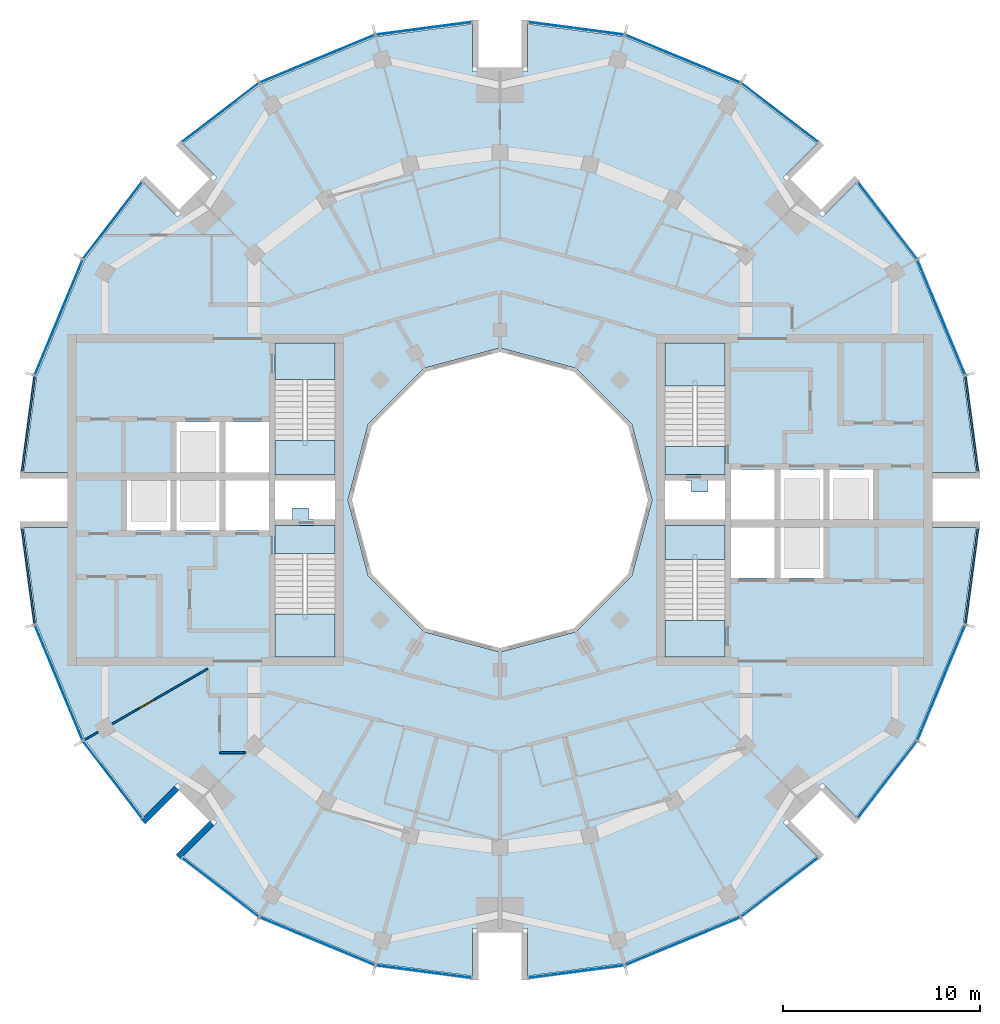
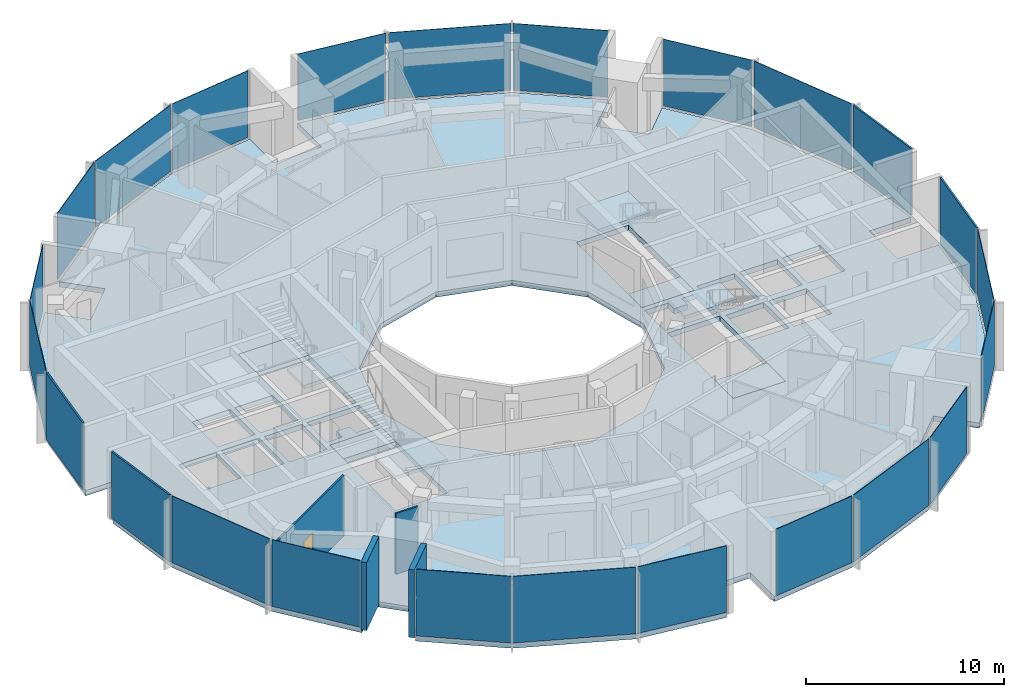
# One storey, part 7 of 15: 24 plates, 9 slabs, 4 walls, 1 door, 1 opening, 28 elements without a shape of their own.
"""IFC4 building model written with IfcOpenShell, lengths in metres."""

from ifc_helpers import new_model, si_unit, direction, frame, frame_2d, origin, origin_2d, place, context, subcontext, project, spatial, polyline, rectangle, outline, extrude, material, layer, layer_set, type_object, element, fill, aggregate, save


model = new_model("IFC4")

# Units and contexts
model_context = context("Model", 3, precision=1e-05, world=origin(), true_north=direction((0.0, 1.0)))
body_context = subcontext(model_context, "Body", "Model", "MODEL_VIEW")
ifc_project = project(units=[si_unit("LENGTHUNIT", "METRE"), si_unit("AREAUNIT", "SQUARE_METRE"), si_unit("VOLUMEUNIT", "CUBIC_METRE"), si_unit("PLANEANGLEUNIT", "RADIAN"), si_unit("MASSUNIT", "GRAM", prefix="KILO")], contexts=[model_context])

# Site, building, storey
site_placement = place(None, origin())
site = spatial("IfcSite", under=ifc_project, at=site_placement, CompositionType="ELEMENT")
building_placement = place(site_placement, origin())
building = spatial("IfcBuilding", under=site, at=building_placement, Name="Torre Brocal", CompositionType="ELEMENT")
storey_placement = place(building_placement, frame((0.0, 0.0, 279.89990234375)))
storey = spatial("IfcBuildingStorey", under=building, at=storey_placement, Name="L64", CompositionType="ELEMENT", Elevation=279.89990234375)

# Curtain wall, plate
ifc_material_1 = material(Name="Aluminium and glass", Category="aluminium")
ifc_layer_1 = layer(ifc_material_1, 0.199951171875)
ifc_layer_set_1 = layer_set([ifc_layer_1], Name="Aluminium and glass")
curtain_wall_type_1 = type_object("IfcCurtainWallType", Name="CW-1 CURTAIN WALL 4200 HIGH", PredefinedType="NOTDEFINED", material=ifc_layer_set_1)
curtain_wall_1_placement = place(storey_placement, origin())
curtain_wall_1 = element("IfcCurtainWall", 1, at=curtain_wall_1_placement, inside=storey, type_object=curtain_wall_type_1, Name="CW-1 RUN 2", PredefinedType="NOTDEFINED")
ifc_material_2 = material(Name="Glass, dark tinted laminated", Category="glass")
ifc_layer_2 = layer(ifc_material_2, 0.031982421875)
ifc_layer_set_2 = layer_set([ifc_layer_2], Name="Glass, dark tinted laminated")
plate_type_1 = type_object("IfcPlateType", Name="CW-1 GLASS PANEL 32", PredefinedType="CURTAIN_PANEL", material=ifc_layer_set_2)
plate_1_placement = place(storey_placement, frame((102.34912109375, 84.25732421875, 0.080078125), z_axis=(0.0, 0.0, 1.0), x_axis=(-0.382683432462, 0.923879532471, 0.0)))
plate_1 = element("IfcPlate", 2, at=plate_1_placement, type_object=plate_type_1, Name="CW1-5 panel 1.1", PredefinedType="CURTAIN_PANEL", context=body_context, shape_type="SweptSolid", body=[
    extrude(rectangle(XDim=6.24951171875, YDim=0.031982421875, at=origin_2d()), origin(), (0.0, 0.0, 1.0), 4.1201171875),
])
aggregate(curtain_wall_1, [plate_1])

curtain_wall_2_placement = place(storey_placement, origin())
curtain_wall_2 = element("IfcCurtainWall", 3, at=curtain_wall_2_placement, inside=storey, type_object=curtain_wall_type_1, Name="CW-1 RUN 3", PredefinedType="NOTDEFINED")
plate_2_placement = place(storey_placement, frame((99.621337890625, 89.166015625, 0.080078125), z_axis=(0.0, 0.0, 1.0), x_axis=(-0.608761428939, 0.793353340344, 0.0)))
plate_2 = element("IfcPlate", 4, at=plate_2_placement, type_object=plate_type_1, Name="CW1-5 panel 1.1", PredefinedType="CURTAIN_PANEL", context=body_context, shape_type="SweptSolid", body=[
    extrude(rectangle(XDim=4.83740234375, YDim=0.031982421875, at=origin_2d()), origin(), (0.0, 0.0, 1.0), 4.1201171875),
])
aggregate(curtain_wall_2, [plate_2])

curtain_wall_3_placement = place(storey_placement, origin())
curtain_wall_3 = element("IfcCurtainWall", 5, at=curtain_wall_3_placement, inside=storey, type_object=curtain_wall_type_1, Name="CW-1 RUN 4", PredefinedType="NOTDEFINED")
plate_3_placement = place(storey_placement, frame((94.166015625, 94.621337890625, 0.080078125), z_axis=(0.0, 0.0, 1.0), x_axis=(-0.793353340344, 0.608761428939, 0.0)))
plate_3 = element("IfcPlate", 6, at=plate_3_placement, type_object=plate_type_1, Name="CW1-5 panel 1.1", PredefinedType="CURTAIN_PANEL", context=body_context, shape_type="SweptSolid", body=[
    extrude(rectangle(XDim=4.83740234375, YDim=0.031982421875, at=origin_2d()), origin(), (0.0, 0.0, 1.0), 4.1201171875),
])
aggregate(curtain_wall_3, [plate_3])

curtain_wall_4_placement = place(storey_placement, origin())
curtain_wall_4 = element("IfcCurtainWall", 7, at=curtain_wall_4_placement, inside=storey, type_object=curtain_wall_type_1, Name="CW-1 RUN 5", PredefinedType="NOTDEFINED")
plate_4_placement = place(storey_placement, frame((89.25732421875, 97.34912109375, 0.080078125), z_axis=(0.0, 0.0, 1.0), x_axis=(-0.923879532471, 0.382683432462, 0.0)))
plate_4 = element("IfcPlate", 8, at=plate_4_placement, type_object=plate_type_1, Name="CW1-5 panel 1.1", PredefinedType="CURTAIN_PANEL", context=body_context, shape_type="SweptSolid", body=[
    extrude(rectangle(XDim=6.24951171875, YDim=0.031982421875, at=origin_2d()), origin(), (0.0, 0.0, 1.0), 4.1201171875),
])
aggregate(curtain_wall_4, [plate_4])

curtain_wall_5_placement = place(storey_placement, origin())
curtain_wall_5 = element("IfcCurtainWall", 9, at=curtain_wall_5_placement, inside=storey, type_object=curtain_wall_type_1, Name="CW-1 RUN 6", PredefinedType="NOTDEFINED")
plate_5_placement = place(storey_placement, frame((83.857421875, 98.891357421875, 0.080078125), z_axis=(0.0, 0.0, 1.0), x_axis=(-0.991444861387, 0.130526192116, 0.0)))
plate_5 = element("IfcPlate", 10, at=plate_5_placement, type_object=plate_type_1, Name="CW1-5 panel 1.1", PredefinedType="CURTAIN_PANEL", context=body_context, shape_type="SweptSolid", body=[
    extrude(rectangle(XDim=4.83740234375, YDim=0.031982421875, at=origin_2d()), origin(), (0.0, 0.0, 1.0), 4.1201171875),
])
aggregate(curtain_wall_5, [plate_5])

curtain_wall_6_placement = place(storey_placement, origin())
curtain_wall_6 = element("IfcCurtainWall", 11, at=curtain_wall_6_placement, inside=storey, type_object=curtain_wall_type_1, Name="CW-1 RUN 7", PredefinedType="NOTDEFINED")
plate_6_placement = place(storey_placement, frame((76.142578125, 98.891357421875, 0.080078125), z_axis=(0.0, 0.0, 1.0), x_axis=(-0.991444861387, -0.130526192116, 0.0)))
plate_6 = element("IfcPlate", 12, at=plate_6_placement, type_object=plate_type_1, Name="CW1-5 panel 1.1", PredefinedType="CURTAIN_PANEL", context=body_context, shape_type="SweptSolid", body=[
    extrude(rectangle(XDim=4.83740234375, YDim=0.031982421875, at=origin_2d()), origin(), (0.0, 0.0, 1.0), 4.1201171875),
])
aggregate(curtain_wall_6, [plate_6])

curtain_wall_7_placement = place(storey_placement, origin())
curtain_wall_7 = element("IfcCurtainWall", 13, at=curtain_wall_7_placement, inside=storey, type_object=curtain_wall_type_1, Name="CW-1 RUN 8", PredefinedType="NOTDEFINED")
plate_7_placement = place(storey_placement, frame((70.74267578125, 97.34912109375, 0.080078125), z_axis=(0.0, 0.0, 1.0), x_axis=(-0.923879532471, -0.382683432462, 0.0)))
plate_7 = element("IfcPlate", 14, at=plate_7_placement, type_object=plate_type_1, Name="CW1-5 panel 1.1", PredefinedType="CURTAIN_PANEL", context=body_context, shape_type="SweptSolid", body=[
    extrude(rectangle(XDim=6.24951171875, YDim=0.031982421875, at=origin_2d()), origin(), (0.0, 0.0, 1.0), 4.1201171875),
])
aggregate(curtain_wall_7, [plate_7])

curtain_wall_8_placement = place(storey_placement, origin())
curtain_wall_8 = element("IfcCurtainWall", 15, at=curtain_wall_8_placement, inside=storey, type_object=curtain_wall_type_1, Name="CW-1 RUN 9", PredefinedType="NOTDEFINED")
plate_8_placement = place(storey_placement, frame((65.833984375, 94.621337890625, 0.080078125), z_axis=(0.0, 0.0, 1.0), x_axis=(-0.793353340344, -0.608761428939, 0.0)))
plate_8 = element("IfcPlate", 16, at=plate_8_placement, type_object=plate_type_1, Name="CW1-5 panel 1.1", PredefinedType="CURTAIN_PANEL", context=body_context, shape_type="SweptSolid", body=[
    extrude(rectangle(XDim=4.83740234375, YDim=0.031982421875, at=origin_2d()), origin(), (0.0, 0.0, 1.0), 4.1201171875),
])
aggregate(curtain_wall_8, [plate_8])

curtain_wall_9_placement = place(storey_placement, origin())
curtain_wall_9 = element("IfcCurtainWall", 17, at=curtain_wall_9_placement, inside=storey, type_object=curtain_wall_type_1, Name="CW-1 RUN 10", PredefinedType="NOTDEFINED")
plate_9_placement = place(storey_placement, frame((60.378662109375, 89.166015625, 0.080078125), z_axis=(0.0, 0.0, 1.0), x_axis=(-0.608761428939, -0.793353340344, 0.0)))
plate_9 = element("IfcPlate", 18, at=plate_9_placement, type_object=plate_type_1, Name="CW1-5 panel 1.1", PredefinedType="CURTAIN_PANEL", context=body_context, shape_type="SweptSolid", body=[
    extrude(rectangle(XDim=4.83740234375, YDim=0.031982421875, at=origin_2d()), origin(), (0.0, 0.0, 1.0), 4.1201171875),
])
aggregate(curtain_wall_9, [plate_9])

curtain_wall_10_placement = place(storey_placement, origin())
curtain_wall_10 = element("IfcCurtainWall", 19, at=curtain_wall_10_placement, inside=storey, type_object=curtain_wall_type_1, Name="CW-1 RUN 11", PredefinedType="NOTDEFINED")
plate_10_placement = place(storey_placement, frame((57.65087890625, 84.25732421875, 0.080078125), z_axis=(0.0, 0.0, 1.0), x_axis=(-0.382683432462, -0.923879532471, 0.0)))
plate_10 = element("IfcPlate", 20, at=plate_10_placement, type_object=plate_type_1, Name="CW1-5 panel 1.1", PredefinedType="CURTAIN_PANEL", context=body_context, shape_type="SweptSolid", body=[
    extrude(rectangle(XDim=6.24951171875, YDim=0.031982421875, at=origin_2d()), origin(), (0.0, 0.0, 1.0), 4.1201171875),
])
aggregate(curtain_wall_10, [plate_10])

curtain_wall_11_placement = place(storey_placement, origin())
curtain_wall_11 = element("IfcCurtainWall", 21, at=curtain_wall_11_placement, inside=storey, type_object=curtain_wall_type_1, Name="CW-1 RUN 14", PredefinedType="NOTDEFINED")
plate_11_placement = place(storey_placement, frame((57.65087890625, 65.74267578125, 0.080078125), z_axis=(0.0, 0.0, 1.0), x_axis=(0.382683432462, -0.923879532471, 0.0)))
plate_11 = element("IfcPlate", 22, at=plate_11_placement, type_object=plate_type_1, Name="CW1-5 panel 1.1", PredefinedType="CURTAIN_PANEL", context=body_context, shape_type="SweptSolid", body=[
    extrude(rectangle(XDim=6.24951171875, YDim=0.031982421875, at=origin_2d()), origin(), (0.0, 0.0, 1.0), 4.1201171875),
])
aggregate(curtain_wall_11, [plate_11])

curtain_wall_12_placement = place(storey_placement, origin())
curtain_wall_12 = element("IfcCurtainWall", 23, at=curtain_wall_12_placement, inside=storey, type_object=curtain_wall_type_1, Name="CW-1 RUN 15", PredefinedType="NOTDEFINED")
plate_12_placement = place(storey_placement, frame((60.378662109375, 60.833984375, 0.080078125), z_axis=(0.0, 0.0, 1.0), x_axis=(0.608761428939, -0.793353340344, 0.0)))
plate_12 = element("IfcPlate", 24, at=plate_12_placement, type_object=plate_type_1, Name="CW1-5 panel 1.1", PredefinedType="CURTAIN_PANEL", context=body_context, shape_type="SweptSolid", body=[
    extrude(rectangle(XDim=4.83740234375, YDim=0.031982421875, at=origin_2d()), origin(), (0.0, 0.0, 1.0), 4.1201171875),
])
aggregate(curtain_wall_12, [plate_12])

curtain_wall_13_placement = place(storey_placement, origin())
curtain_wall_13 = element("IfcCurtainWall", 25, at=curtain_wall_13_placement, inside=storey, type_object=curtain_wall_type_1, Name="CW-1 RUN 16", PredefinedType="NOTDEFINED")
plate_13_placement = place(storey_placement, frame((65.833984375, 55.378662109375, 0.080078125), z_axis=(0.0, 0.0, 1.0), x_axis=(0.793353340344, -0.608761428939, 0.0)))
plate_13 = element("IfcPlate", 26, at=plate_13_placement, type_object=plate_type_1, Name="CW1-5 panel 1.1", PredefinedType="CURTAIN_PANEL", context=body_context, shape_type="SweptSolid", body=[
    extrude(rectangle(XDim=4.83740234375, YDim=0.031982421875, at=origin_2d()), origin(), (0.0, 0.0, 1.0), 4.1201171875),
])
aggregate(curtain_wall_13, [plate_13])

curtain_wall_14_placement = place(storey_placement, origin())
curtain_wall_14 = element("IfcCurtainWall", 27, at=curtain_wall_14_placement, inside=storey, type_object=curtain_wall_type_1, Name="CW-1 RUN 17", PredefinedType="NOTDEFINED")
plate_14_placement = place(storey_placement, frame((70.74267578125, 52.65087890625, 0.080078125), z_axis=(0.0, 0.0, 1.0), x_axis=(0.923879532471, -0.382683432462, 0.0)))
plate_14 = element("IfcPlate", 28, at=plate_14_placement, type_object=plate_type_1, Name="CW1-5 panel 1.1", PredefinedType="CURTAIN_PANEL", context=body_context, shape_type="SweptSolid", body=[
    extrude(rectangle(XDim=6.24951171875, YDim=0.031982421875, at=origin_2d()), origin(), (0.0, 0.0, 1.0), 4.1201171875),
])
aggregate(curtain_wall_14, [plate_14])

curtain_wall_15_placement = place(storey_placement, origin())
curtain_wall_15 = element("IfcCurtainWall", 29, at=curtain_wall_15_placement, inside=storey, type_object=curtain_wall_type_1, Name="CW-1 RUN 18", PredefinedType="NOTDEFINED")
plate_15_placement = place(storey_placement, frame((76.142578125, 51.108642578125, 0.080078125), z_axis=(0.0, 0.0, 1.0), x_axis=(0.991444861387, -0.130526192116, 0.0)))
plate_15 = element("IfcPlate", 30, at=plate_15_placement, type_object=plate_type_1, Name="CW1-5 panel 1.1", PredefinedType="CURTAIN_PANEL", context=body_context, shape_type="SweptSolid", body=[
    extrude(rectangle(XDim=4.83740234375, YDim=0.031982421875, at=origin_2d()), origin(), (0.0, 0.0, 1.0), 4.1201171875),
])
aggregate(curtain_wall_15, [plate_15])

curtain_wall_16_placement = place(storey_placement, origin())
curtain_wall_16 = element("IfcCurtainWall", 31, at=curtain_wall_16_placement, inside=storey, type_object=curtain_wall_type_1, Name="CW-1 RUN 19", PredefinedType="NOTDEFINED")
plate_16_placement = place(storey_placement, frame((83.857421875, 51.108642578125, 0.080078125), z_axis=(0.0, 0.0, 1.0), x_axis=(0.991444861387, 0.130526192116, 0.0)))
plate_16 = element("IfcPlate", 32, at=plate_16_placement, type_object=plate_type_1, Name="CW1-5 panel 1.1", PredefinedType="CURTAIN_PANEL", context=body_context, shape_type="SweptSolid", body=[
    extrude(rectangle(XDim=4.83740234375, YDim=0.031982421875, at=origin_2d()), origin(), (0.0, 0.0, 1.0), 4.1201171875),
])
aggregate(curtain_wall_16, [plate_16])

curtain_wall_17_placement = place(storey_placement, origin())
curtain_wall_17 = element("IfcCurtainWall", 33, at=curtain_wall_17_placement, inside=storey, type_object=curtain_wall_type_1, Name="CW-1 RUN 20", PredefinedType="NOTDEFINED")
plate_17_placement = place(storey_placement, frame((89.25732421875, 52.65087890625, 0.080078125), z_axis=(0.0, 0.0, 1.0), x_axis=(0.923879532471, 0.382683432462, 0.0)))
plate_17 = element("IfcPlate", 34, at=plate_17_placement, type_object=plate_type_1, Name="CW1-5 panel 1.1", PredefinedType="CURTAIN_PANEL", context=body_context, shape_type="SweptSolid", body=[
    extrude(rectangle(XDim=6.24951171875, YDim=0.031982421875, at=origin_2d()), origin(), (0.0, 0.0, 1.0), 4.1201171875),
])
aggregate(curtain_wall_17, [plate_17])

curtain_wall_18_placement = place(storey_placement, origin())
curtain_wall_18 = element("IfcCurtainWall", 35, at=curtain_wall_18_placement, inside=storey, type_object=curtain_wall_type_1, Name="CW-1 RUN 21", PredefinedType="NOTDEFINED")
plate_18_placement = place(storey_placement, frame((94.166015625, 55.378662109375, 0.080078125), z_axis=(0.0, 0.0, 1.0), x_axis=(0.793353340344, 0.608761428939, 0.0)))
plate_18 = element("IfcPlate", 36, at=plate_18_placement, type_object=plate_type_1, Name="CW1-5 panel 1.1", PredefinedType="CURTAIN_PANEL", context=body_context, shape_type="SweptSolid", body=[
    extrude(rectangle(XDim=4.83740234375, YDim=0.031982421875, at=origin_2d()), origin(), (0.0, 0.0, 1.0), 4.1201171875),
])
aggregate(curtain_wall_18, [plate_18])

curtain_wall_19_placement = place(storey_placement, origin())
curtain_wall_19 = element("IfcCurtainWall", 37, at=curtain_wall_19_placement, inside=storey, type_object=curtain_wall_type_1, Name="CW-1 RUN 22", PredefinedType="NOTDEFINED")
plate_19_placement = place(storey_placement, frame((99.621337890625, 60.833984375, 0.080078125), z_axis=(0.0, 0.0, 1.0), x_axis=(0.608761428939, 0.793353340344, 0.0)))
plate_19 = element("IfcPlate", 38, at=plate_19_placement, type_object=plate_type_1, Name="CW1-5 panel 1.1", PredefinedType="CURTAIN_PANEL", context=body_context, shape_type="SweptSolid", body=[
    extrude(rectangle(XDim=4.83740234375, YDim=0.031982421875, at=origin_2d()), origin(), (0.0, 0.0, 1.0), 4.1201171875),
])
aggregate(curtain_wall_19, [plate_19])

curtain_wall_20_placement = place(storey_placement, origin())
curtain_wall_20 = element("IfcCurtainWall", 39, at=curtain_wall_20_placement, inside=storey, type_object=curtain_wall_type_1, Name="CW-1 RUN 23", PredefinedType="NOTDEFINED")
plate_20_placement = place(storey_placement, frame((102.34912109375, 65.74267578125, 0.080078125), z_axis=(0.0, 0.0, 1.0), x_axis=(0.382683432462, 0.923879532471, 0.0)))
plate_20 = element("IfcPlate", 40, at=plate_20_placement, type_object=plate_type_1, Name="CW1-5 panel 1.1", PredefinedType="CURTAIN_PANEL", context=body_context, shape_type="SweptSolid", body=[
    extrude(rectangle(XDim=6.24951171875, YDim=0.031982421875, at=origin_2d()), origin(), (0.0, 0.0, 1.0), 4.1201171875),
])
aggregate(curtain_wall_20, [plate_20])

ifc_material_3 = material(Name="Aluminium and glass", Category="aluminium")
ifc_layer_3 = layer(ifc_material_3, 0.199951171875)
ifc_layer_set_3 = layer_set([ifc_layer_3], Name="Aluminium and glass")
curtain_wall_type_2 = type_object("IfcCurtainWallType", Name="CW-1B CURTAIN WALL 4200 HIGH", PredefinedType="NOTDEFINED", material=ifc_layer_set_3)
curtain_wall_21_placement = place(storey_placement, origin())
curtain_wall_21 = element("IfcCurtainWall", 41, at=curtain_wall_21_placement, inside=storey, type_object=curtain_wall_type_2, Name="CW-1B RUN 1", PredefinedType="NOTDEFINED")
ifc_material_4 = material(Name="Aluminium composite panel", Category="aluminium")
ifc_layer_4 = layer(ifc_material_4, 0.10009765625)
ifc_layer_set_4 = layer_set([ifc_layer_4], Name="Aluminium composite panel")
plate_type_2 = type_object("IfcPlateType", Name="CW-1B OPAQUE PANEL 100", PredefinedType="CURTAIN_PANEL", material=ifc_layer_set_4)
plate_21_placement = place(storey_placement, frame((103.891357421875, 78.857421875, 0.080078125), z_axis=(0.0, 0.0, 1.0), x_axis=(-0.130526192116, 0.991444861387, 0.0)))
plate_21 = element("IfcPlate", 42, at=plate_21_placement, type_object=plate_type_2, Name="CW1B-5 panel 1.1", PredefinedType="CURTAIN_PANEL", context=body_context, shape_type="SweptSolid", body=[
    extrude(rectangle(XDim=4.83740234375, YDim=0.10009765625, at=origin_2d()), origin(), (0.0, 0.0, 1.0), 4.1201171875),
])
aggregate(curtain_wall_21, [plate_21])

curtain_wall_22_placement = place(storey_placement, origin())
curtain_wall_22 = element("IfcCurtainWall", 43, at=curtain_wall_22_placement, inside=storey, type_object=curtain_wall_type_2, Name="CW-1B RUN 12", PredefinedType="NOTDEFINED")
plate_22_placement = place(storey_placement, frame((56.108642578125, 78.857421875, 0.080078125), z_axis=(0.0, 0.0, 1.0), x_axis=(-0.130526192116, -0.991444861387, 0.0)))
plate_22 = element("IfcPlate", 44, at=plate_22_placement, type_object=plate_type_2, Name="CW1B-5 panel 1.1", PredefinedType="CURTAIN_PANEL", context=body_context, shape_type="SweptSolid", body=[
    extrude(rectangle(XDim=4.83740234375, YDim=0.10009765625, at=origin_2d()), origin(), (0.0, 0.0, 1.0), 4.1201171875),
])
aggregate(curtain_wall_22, [plate_22])

curtain_wall_23_placement = place(storey_placement, origin())
curtain_wall_23 = element("IfcCurtainWall", 45, at=curtain_wall_23_placement, inside=storey, type_object=curtain_wall_type_2, Name="CW-1B RUN 13", PredefinedType="NOTDEFINED")
plate_23_placement = place(storey_placement, frame((56.108642578125, 71.142578125, 0.080078125), z_axis=(0.0, 0.0, 1.0), x_axis=(0.130526192116, -0.991444861387, 0.0)))
plate_23 = element("IfcPlate", 46, at=plate_23_placement, type_object=plate_type_2, Name="CW1B-5 panel 1.1", PredefinedType="CURTAIN_PANEL", context=body_context, shape_type="SweptSolid", body=[
    extrude(rectangle(XDim=4.83740234375, YDim=0.10009765625, at=origin_2d()), origin(), (0.0, 0.0, 1.0), 4.1201171875),
])
aggregate(curtain_wall_23, [plate_23])

curtain_wall_24_placement = place(storey_placement, origin())
curtain_wall_24 = element("IfcCurtainWall", 47, at=curtain_wall_24_placement, inside=storey, type_object=curtain_wall_type_2, Name="CW-1B RUN 24", PredefinedType="NOTDEFINED")
plate_24_placement = place(storey_placement, frame((103.891357421875, 71.142578125, 0.080078125), z_axis=(0.0, 0.0, 1.0), x_axis=(0.130526192116, 0.991444861387, 0.0)))
plate_24 = element("IfcPlate", 48, at=plate_24_placement, type_object=plate_type_2, Name="CW1B-5 panel 1.1", PredefinedType="CURTAIN_PANEL", context=body_context, shape_type="SweptSolid", body=[
    extrude(rectangle(XDim=4.83740234375, YDim=0.10009765625, at=origin_2d()), origin(), (0.0, 0.0, 1.0), 4.1201171875),
])
aggregate(curtain_wall_24, [plate_24])

# Stair, slab
ifc_material_5 = material(Name="Concrete C50", Category="concrete")
stair_type = type_object("IfcStairType", Name="EXIT STAIR", PredefinedType="HALF_TURN_STAIR", material=ifc_material_5)
stair_1_placement = place(storey_placement, origin())
stair_1 = element("IfcStair", 49, at=stair_1_placement, inside=storey, type_object=stair_type, Name="EXIT STAIR ST1", PredefinedType="HALF_TURN_STAIR")
ifc_material_6 = material(Name="Concrete C50", Category="concrete")
ifc_layer_5 = layer(ifc_material_6, 0.320068359375)
ifc_layer_set_5 = layer_set([ifc_layer_5], Name="Concrete C50")
slab_type_1 = type_object("IfcSlabType", Name="FLOOR LANDING 320", PredefinedType="LANDING", material=ifc_layer_set_5)
slab_1_placement = place(storey_placement, frame((0.0, 0.0, -0.31982421875)))
slab_1 = element("IfcSlab", 50, at=slab_1_placement, type_object=slab_type_1, Name="ST1 landing 1", PredefinedType="LANDING", context=body_context, shape_type="SweptSolid", body=[
    extrude(outline(polyline([(88.35009765625, 76.300048828125), (91.39990234375, 76.300048828125), (91.39990234375, 77.699951171875), (88.35009765625, 77.699951171875), (88.35009765625, 76.300048828125)])), origin(), (0.0, 0.0, 1.0), 0.31982421875),
])

stair_2_placement = place(storey_placement, origin())
stair_2 = element("IfcStair", 51, at=stair_2_placement, inside=storey, type_object=stair_type, Name="EXIT STAIR ST2", PredefinedType="HALF_TURN_STAIR")
slab_2_placement = place(storey_placement, frame((0.0, 0.0, -0.31982421875)))
slab_2 = element("IfcSlab", 52, at=slab_2_placement, type_object=slab_type_1, Name="ST2 landing 1", PredefinedType="LANDING", context=body_context, shape_type="SweptSolid", body=[
    extrude(outline(polyline([(88.35009765625, 67.050048828125), (91.39990234375, 67.050048828125), (91.39990234375, 68.89990234375), (88.35009765625, 68.89990234375), (88.35009765625, 67.050048828125)])), origin(), (0.0, 0.0, 1.0), 0.31982421875),
])

stair_3_placement = place(storey_placement, origin())
stair_3 = element("IfcStair", 53, at=stair_3_placement, inside=storey, type_object=stair_type, Name="EXIT STAIR ST3", PredefinedType="HALF_TURN_STAIR")
slab_3_placement = place(storey_placement, frame((0.0, 0.0, -0.31982421875)))
slab_3 = element("IfcSlab", 54, at=slab_3_placement, type_object=slab_type_1, Name="ST3 landing 1", PredefinedType="LANDING", context=body_context, shape_type="SweptSolid", body=[
    extrude(outline(polyline([(71.64990234375, 73.699951171875), (68.60009765625, 73.699951171875), (68.60009765625, 72.300048828125), (71.64990234375, 72.300048828125), (71.64990234375, 73.699951171875)])), origin(), (0.0, 0.0, 1.0), 0.31982421875),
])

stair_4_placement = place(storey_placement, origin())
stair_4 = element("IfcStair", 55, at=stair_4_placement, inside=storey, type_object=stair_type, Name="EXIT STAIR ST4", PredefinedType="HALF_TURN_STAIR")
slab_4_placement = place(storey_placement, frame((0.0, 0.0, -0.31982421875)))
slab_4 = element("IfcSlab", 56, at=slab_4_placement, type_object=slab_type_1, Name="ST4 landing 1", PredefinedType="LANDING", context=body_context, shape_type="SweptSolid", body=[
    extrude(outline(polyline([(71.64990234375, 82.949951171875), (68.60009765625, 82.949951171875), (68.60009765625, 81.10009765625), (71.64990234375, 81.10009765625), (71.64990234375, 82.949951171875)])), origin(), (0.0, 0.0, 1.0), 0.31982421875),
])

# Slab
ifc_material_7 = material(Name="Concrete C50", Category="concrete")
ifc_layer_6 = layer(ifc_material_7, 0.199951171875)
ifc_layer_set_6 = layer_set([ifc_layer_6], Name="Concrete C50")
slab_type_2 = type_object("IfcSlabType", Name="MID LANDING +2100", PredefinedType="LANDING", material=ifc_layer_set_6)
slab_5_placement = place(storey_placement, frame((0.0, 0.0, 1.900146484375)))
slab_5 = element("IfcSlab", 57, at=slab_5_placement, type_object=slab_type_2, Name="ST1 landing 2", PredefinedType="LANDING", context=body_context, shape_type="SweptSolid", body=[
    extrude(outline(polyline([(88.35009765625, 80.780029296875), (91.39990234375, 80.780029296875), (91.39990234375, 82.949951171875), (88.35009765625, 82.949951171875), (88.35009765625, 80.780029296875)])), origin(), (0.0, 0.0, 1.0), 0.199951171875),
])

aggregate(stair_1, [slab_1, slab_5])

slab_6_placement = place(storey_placement, frame((0.0, 0.0, 1.900146484375)))
slab_6 = element("IfcSlab", 58, at=slab_6_placement, type_object=slab_type_2, Name="ST2 landing 2", PredefinedType="LANDING", context=body_context, shape_type="SweptSolid", body=[
    extrude(outline(polyline([(88.35009765625, 71.97998046875), (91.39990234375, 71.97998046875), (91.39990234375, 73.699951171875), (88.35009765625, 73.699951171875), (88.35009765625, 71.97998046875)])), origin(), (0.0, 0.0, 1.0), 0.199951171875),
])

aggregate(stair_2, [slab_2, slab_6])

slab_7_placement = place(storey_placement, frame((0.0, 0.0, 1.900146484375)))
slab_7 = element("IfcSlab", 59, at=slab_7_placement, type_object=slab_type_2, Name="ST3 landing 2", PredefinedType="LANDING", context=body_context, shape_type="SweptSolid", body=[
    extrude(outline(polyline([(71.64990234375, 69.219970703125), (68.60009765625, 69.219970703125), (68.60009765625, 67.050048828125), (71.64990234375, 67.050048828125), (71.64990234375, 69.219970703125)])), origin(), (0.0, 0.0, 1.0), 0.199951171875),
])

aggregate(stair_3, [slab_3, slab_7])

slab_8_placement = place(storey_placement, frame((0.0, 0.0, 1.900146484375)))
slab_8 = element("IfcSlab", 60, at=slab_8_placement, type_object=slab_type_2, Name="ST4 landing 2", PredefinedType="LANDING", context=body_context, shape_type="SweptSolid", body=[
    extrude(outline(polyline([(71.64990234375, 78.02001953125), (68.60009765625, 78.02001953125), (68.60009765625, 76.300048828125), (71.64990234375, 76.300048828125), (71.64990234375, 78.02001953125)])), origin(), (0.0, 0.0, 1.0), 0.199951171875),
])

aggregate(stair_4, [slab_4, slab_8])

ifc_material_8 = material(Name="Concrete C45", Category="concrete")
ifc_layer_7 = layer(ifc_material_8, 0.320068359375)
ifc_layer_set_7 = layer_set([ifc_layer_7], Name="Concrete C45")
slab_type_3 = type_object("IfcSlabType", Name="PT FLOOR SLAB 320 C45", PredefinedType="FLOOR", material=ifc_layer_set_7)
slab_9_placement = place(storey_placement, frame((0.0, 0.0, -0.31982421875)))
element("IfcSlab", 61, at=slab_9_placement, inside=storey, type_object=slab_type_3, Name="Slab ST-05", PredefinedType="FLOOR", context=body_context, shape_type="SweptSolid", body=[
    extrude(outline(polyline([(101.699951171875, 76.39990234375), (101.699951171875, 73.60009765625), (104.114013671875, 73.60009765625), (103.47021484375, 68.711181640625), (101.04296875, 62.850830078125), (98.041015625, 58.938720703125), (96.334228515625, 60.645751953125), (94.354248046875, 58.665771484375), (96.061279296875, 56.958984375), (92.149169921875, 53.95703125), (86.288818359375, 51.52978515625), (81.39990234375, 50.885986328125), (81.39990234375, 53.300048828125), (78.60009765625, 53.300048828125), (78.60009765625, 50.885986328125), (73.711181640625, 51.52978515625), (67.850830078125, 53.95703125), (63.938720703125, 56.958984375), (65.645751953125, 58.665771484375), (63.665771484375, 60.645751953125), (61.958984375, 58.938720703125), (58.95703125, 62.850830078125), (56.52978515625, 68.711181640625), (55.885986328125, 73.60009765625), (58.300048828125, 73.60009765625), (58.300048828125, 76.39990234375), (55.885986328125, 76.39990234375), (56.52978515625, 81.288818359375), (58.95703125, 87.149169921875), (61.958984375, 91.061279296875), (63.665771484375, 89.354248046875), (65.645751953125, 91.334228515625), (63.938720703125, 93.041015625), (67.850830078125, 96.04296875), (73.711181640625, 98.47021484375), (78.60009765625, 99.114013671875), (78.60009765625, 96.699951171875), (81.39990234375, 96.699951171875), (81.39990234375, 99.114013671875), (86.288818359375, 98.47021484375), (92.149169921875, 96.04296875), (96.061279296875, 93.041015625), (94.354248046875, 91.334228515625), (96.334228515625, 89.354248046875), (98.041015625, 91.061279296875), (101.04296875, 87.149169921875), (103.47021484375, 81.288818359375), (104.114013671875, 76.39990234375), (101.699951171875, 76.39990234375)]), holes=[polyline([(98.89990234375, 76.550048828125), (96.699951171875, 76.550048828125), (96.699951171875, 74.0), (98.89990234375, 74.0), (98.89990234375, 76.550048828125)]), polyline([(96.39990234375, 76.550048828125), (94.199951171875, 76.550048828125), (94.199951171875, 74.0), (96.39990234375, 74.0), (96.39990234375, 76.550048828125)]), polyline([(96.39990234375, 73.60009765625), (94.199951171875, 73.60009765625), (94.199951171875, 71.050048828125), (96.39990234375, 71.050048828125), (96.39990234375, 73.60009765625)]), polyline([(93.89990234375, 76.550048828125), (91.699951171875, 76.550048828125), (91.699951171875, 74.0), (93.89990234375, 74.0), (93.89990234375, 76.550048828125)]), polyline([(93.89990234375, 73.60009765625), (91.699951171875, 73.60009765625), (91.699951171875, 71.050048828125), (93.89990234375, 71.050048828125), (93.89990234375, 73.60009765625)]), polyline([(89.699951171875, 76.0), (88.35009765625, 76.0), (88.35009765625, 74.0), (91.39990234375, 74.0), (91.39990234375, 76.0), (90.5, 76.0), (90.5, 75.39990234375), (89.699951171875, 75.39990234375), (89.699951171875, 76.0)]), polyline([(91.39990234375, 82.949951171875), (88.35009765625, 82.949951171875), (88.35009765625, 76.300048828125), (91.39990234375, 76.300048828125), (91.39990234375, 82.949951171875)]), polyline([(91.39990234375, 73.699951171875), (88.35009765625, 73.699951171875), (88.35009765625, 67.050048828125), (91.39990234375, 67.050048828125), (91.39990234375, 73.699951171875)]), polyline([(80.0, 82.70703125), (76.146484375, 81.674560546875), (73.325439453125, 78.853515625), (72.29296875, 75.0), (73.325439453125, 71.146484375), (76.146484375, 68.325439453125), (80.0, 67.29296875), (83.853515625, 68.325439453125), (86.674560546875, 71.146484375), (87.70703125, 75.0), (86.674560546875, 78.853515625), (83.853515625, 81.674560546875), (80.0, 82.70703125)]), polyline([(70.300048828125, 74.0), (71.64990234375, 74.0), (71.64990234375, 76.0), (68.60009765625, 76.0), (68.60009765625, 74.0), (69.5, 74.0), (69.5, 74.60009765625), (70.300048828125, 74.60009765625), (70.300048828125, 74.0)]), polyline([(68.60009765625, 76.300048828125), (71.64990234375, 76.300048828125), (71.64990234375, 82.949951171875), (68.60009765625, 82.949951171875), (68.60009765625, 76.300048828125)]), polyline([(68.60009765625, 67.050048828125), (71.64990234375, 67.050048828125), (71.64990234375, 73.699951171875), (68.60009765625, 73.699951171875), (68.60009765625, 67.050048828125)]), polyline([(66.10009765625, 76.39990234375), (68.300048828125, 76.39990234375), (68.300048828125, 78.949951171875), (66.10009765625, 78.949951171875), (66.10009765625, 76.39990234375)]), polyline([(66.10009765625, 73.449951171875), (68.300048828125, 73.449951171875), (68.300048828125, 76.0), (66.10009765625, 76.0), (66.10009765625, 73.449951171875)]), polyline([(63.60009765625, 76.39990234375), (65.800048828125, 76.39990234375), (65.800048828125, 78.949951171875), (63.60009765625, 78.949951171875), (63.60009765625, 76.39990234375)]), polyline([(63.60009765625, 73.449951171875), (65.800048828125, 73.449951171875), (65.800048828125, 76.0), (63.60009765625, 76.0), (63.60009765625, 73.449951171875)]), polyline([(61.10009765625, 73.449951171875), (63.300048828125, 73.449951171875), (63.300048828125, 76.0), (61.10009765625, 76.0), (61.10009765625, 73.449951171875)])]), origin(), (0.0, 0.0, 1.0), 0.31982421875),
])

# Walls
ifc_material_9 = material(Name="Concrete C50", Category="concrete")
ifc_layer_8 = layer(ifc_material_9, 0.300048828125)
ifc_layer_set_8 = layer_set([ifc_layer_8], Name="Concrete C50")
wall_type_1 = type_object("IfcWallType", Name="NOTCH RETURN WALL 300 C50", PredefinedType="NOTDEFINED", material=ifc_layer_set_8)
for number, where, z_axis, x_axis, name in (
    (62, (63.63037109375, 60.398193359375, 0.0), (0.0, 0.0, 1.0), (-0.707106781187, -0.707106781187, 0.0), "NOTCH RETURN WALL"),
    (63, (65.398193359375, 58.63037109375, 0.0), (0.0, 0.0, 1.0), (-0.707106781187, -0.707106781187, 0.0), "NOTCH RETURN WALL"),
):
    element("IfcWall", number, at=place(storey_placement, frame(where, z_axis=z_axis, x_axis=x_axis)), inside=storey, type_object=wall_type_1, Name=name, PredefinedType="NOTDEFINED", context=body_context, shape_type="SweptSolid", body=[
        extrude(rectangle(XDim=2.41552734375, YDim=0.300048828125, at=frame_2d((1.207763671875, 0.0))), origin(), (0.0, 0.0, 1.0), 4.2001953125),
    ])

# Wall, opening, door
ifc_material_10 = material(Name="Gypsum board", Category="Gypsum")
ifc_layer_9 = layer(ifc_material_10, 0.10009765625)
ifc_layer_set_9 = layer_set([ifc_layer_9], Name="Gypsum board")
wall_type_2 = type_object("IfcWallType", Name="PARTITION 100", PredefinedType="PARTITIONING", material=ifc_layer_set_9)
wall_1_placement = place(storey_placement, frame((58.95751953125, 62.851318359375, 0.0), z_axis=(0.0, 0.0, 1.0), x_axis=(0.866044015472, 0.499967762227, 0.0)))
wall_1 = element("IfcWall", 64, at=wall_1_placement, inside=storey, type_object=wall_type_2, Name="ROOM PARTITION", PredefinedType="PARTITIONING", context=body_context, shape_type="SweptSolid", body=[
    extrude(rectangle(XDim=7.2080078125, YDim=0.10009765625, at=frame_2d((3.60400390625, 0.0))), origin(), (0.0, 0.0, 1.0), 3.75),
])
opening_placement = place(wall_1_placement, frame((3.178955078125, 0.0, 0.0)))
opening = element("IfcOpeningElement", 65, at=opening_placement, cuts=wall_1, Name="Opening N01-D40", PredefinedType="OPENING", context=body_context, shape_type="SweptSolid", body=[
    extrude(rectangle(XDim=0.89990234375, YDim=2.10009765625, at=frame_2d((0.449951171875, 1.050048828125))), frame((0.0, 0.06005859375, 0.0), z_axis=(0.0, -1.0, 0.0), x_axis=(1.0, 0.0, 0.0)), (0.0, 0.0, 1.0), 0.1201171875),
])
ifc_material_11 = material(Name="Timber", Category="wood")
door_type = type_object("IfcDoorType", Name="ROOM DOOR 900X2100", OperationType="SINGLE_SWING_LEFT", PredefinedType="DOOR", material=ifc_material_11)
door_placement = place(opening_placement, origin())
door = element("IfcDoor", 66, at=door_placement, inside=storey, type_object=door_type, Name="N01-D40", OperationType="SINGLE_SWING_RIGHT", OverallHeight=2.10009765625, OverallWidth=0.89990234375, PredefinedType="DOOR", context=body_context, shape_type="SweptSolid", body=[
    extrude(rectangle(XDim=0.89990234375, YDim=2.10009765625, at=frame_2d((0.449951171875, 1.050048828125))), frame((0.0, 0.02490234375, 0.0), z_axis=(0.0, -1.0, 0.0), x_axis=(1.0, 0.0, 0.0)), (0.0, 0.0, 1.0), 0.050048828125),
])
fill(opening, door)

# Wall
wall_2_placement = place(storey_placement, frame((65.800048828125, 62.199951171875, 0.0), z_axis=(0.0, 0.0, 1.0), x_axis=(1.0, 0.0, 0.0)))
element("IfcWall", 67, at=wall_2_placement, inside=storey, type_object=wall_type_2, Name="BATHROOM WALL", PredefinedType="PARTITIONING", context=body_context, shape_type="SweptSolid", body=[
    extrude(rectangle(XDim=1.2900390625, YDim=0.10009765625, at=frame_2d((0.64501953125, 0.0))), origin(), (0.0, 0.0, 1.0), 3.75),
])

save(model, "model.ifc")
